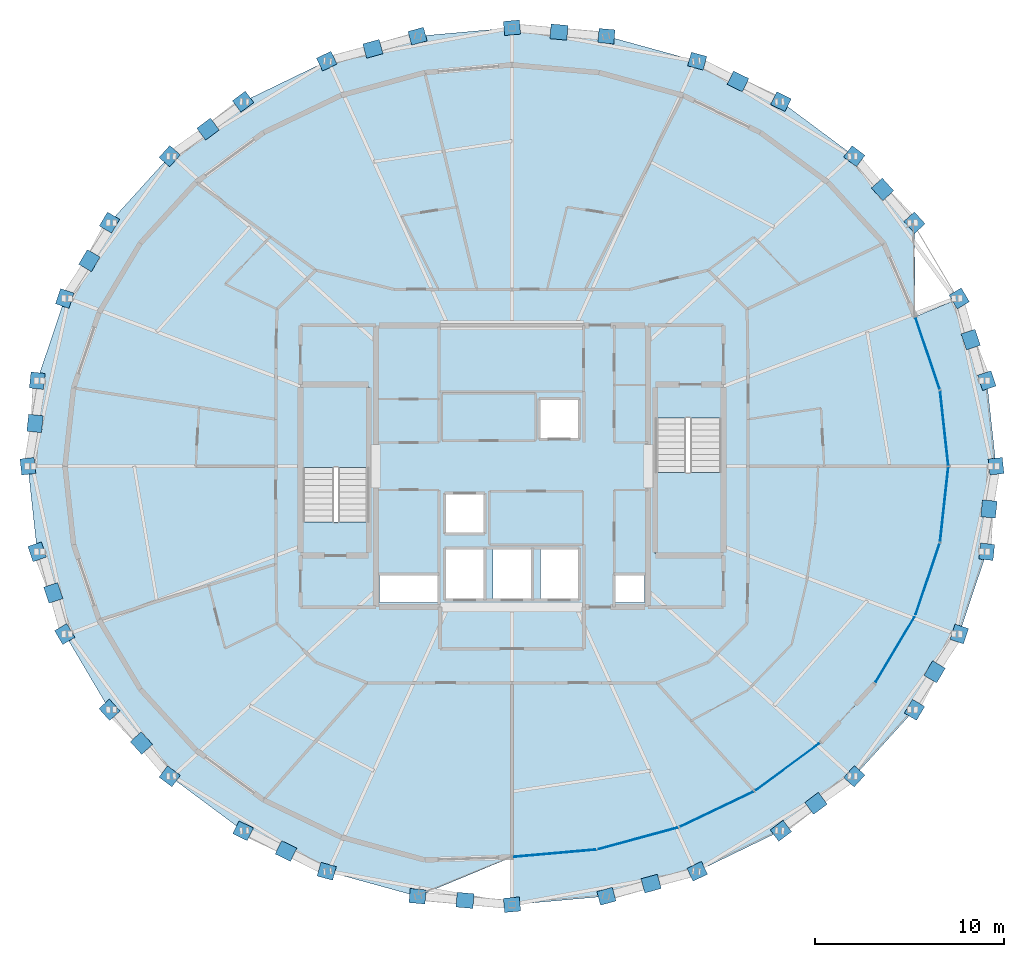
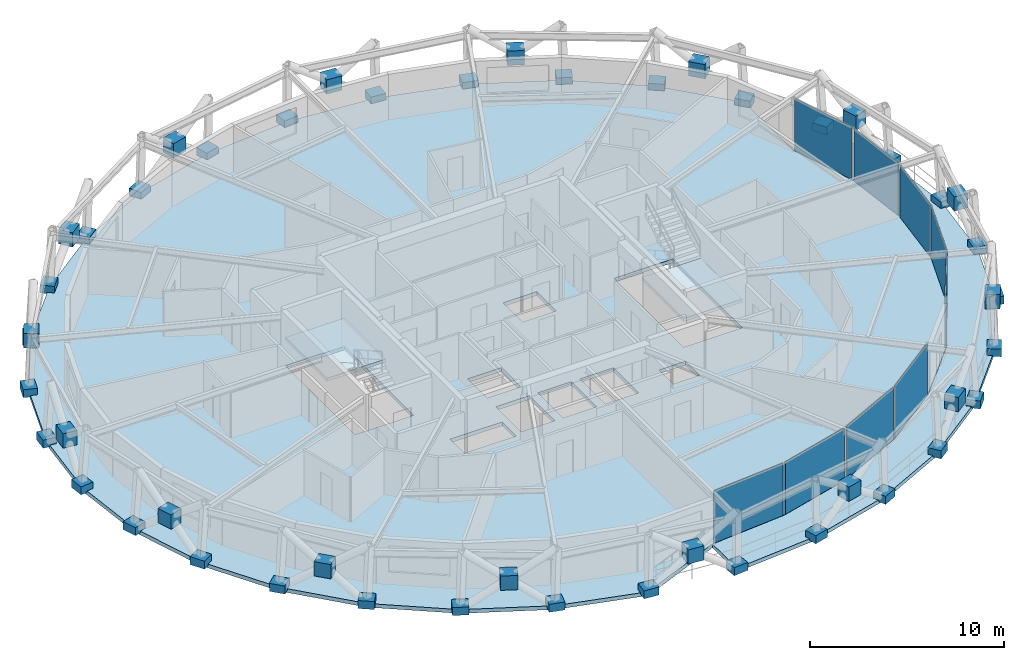
# One storey, part 11 of 17: 57 plates, 4 slabs, 4 elements without a shape of their own.
"""IFC4 building model written with IfcOpenShell, lengths in metres."""

import ifcopenshell
import ifcopenshell.guid

model = None  # the IFC model being written
_history = None  # IfcOwnerHistory: only IFC2X3 demands one
_inside = {}  # id of a spatial element -> (the spatial element, [elements in it])
_under = {}  # id of a project, library or spatial element -> (it, [spatial elements below it])
_declared = {}  # id of a project -> (the project, [libraries it declares])
_typed = {}  # id of a type object -> (the type object, [elements of that type])
_made_of = {}  # id of a material, layer set ... -> (it, [elements and type objects made of it])


def new_model(schema):
    """Start an empty IFC model of exactly this schema.

    Asked for "IFC4X3", IfcOpenShell would pick the latest addendum, in which some entities
    have other attributes; the version numbers below select the first issue.
    IFC2X3 requires an IfcOwnerHistory on every rooted entity: one is made here for all.
    """
    global model, _history
    if schema == "IFC4X3":
        model = ifcopenshell.file(schema_version=(4, 3, 0, 0))
    else:
        model = ifcopenshell.file(schema=schema)
    _inside.clear()
    _under.clear()
    _declared.clear()
    _typed.clear()
    _made_of.clear()
    _history = None
    if model.schema == "IFC2X3":
        org = make("IfcOrganization", Name="unknown")
        user = make(
            "IfcPersonAndOrganization",
            ThePerson=make("IfcPerson", FamilyName="unknown"),
            TheOrganization=org,
        )
        app = make(
            "IfcApplication",
            ApplicationDeveloper=org,
            Version="unknown",
            ApplicationFullName="unknown",
            ApplicationIdentifier="unknown",
        )
        _history = make(
            "IfcOwnerHistory",
            OwningUser=user,
            OwningApplication=app,
            ChangeAction="ADDED",
            CreationDate=0,
        )
    return model


def make(cls, **values):
    """One entity of the class cls with the attributes given. An attribute that is None is left unset."""
    return model.create_entity(
        cls, **{name: value for name, value in values.items() if value is not None}
    )


def rooted(cls, **values):
    """An entity with a GlobalId (a new one), such as an element, a storey or a relation."""
    return make(cls, GlobalId=ifcopenshell.guid.new(), OwnerHistory=_history, **values)


def si_unit(unit_type, name, prefix=None):
    """IfcSIUnit, for example si_unit("LENGTHUNIT", "METRE", prefix="MILLI")."""
    return make("IfcSIUnit", UnitType=unit_type, Prefix=prefix, Name=name)


def assignment(units):
    """IfcUnitAssignment: the units of a project."""
    return None if units is None else make("IfcUnitAssignment", Units=units)


def point(xyz):
    """IfcCartesianPoint."""
    return None if xyz is None else make("IfcCartesianPoint", Coordinates=xyz)


def direction(xyz):
    """IfcDirection."""
    return None if xyz is None else make("IfcDirection", DirectionRatios=xyz)


def frame(location, z_axis=None, x_axis=None):
    """IfcAxis2Placement3D, a coordinate frame: its origin and axes. An axis left out is left unset."""
    return make(
        "IfcAxis2Placement3D",
        Location=point(location),
        Axis=direction(z_axis),
        RefDirection=direction(x_axis),
    )


def frame_2d(location, x_axis=None):
    """IfcAxis2Placement2D, a coordinate frame in the plane: its origin and x axis."""
    return make(
        "IfcAxis2Placement2D", Location=point(location), RefDirection=direction(x_axis)
    )


def origin():
    """The frame at (0, 0, 0) with its axes left unset."""
    return frame((0.0, 0.0, 0.0))


def origin_2d():
    """The frame at (0, 0) in the plane with its x axis left unset."""
    return frame_2d((0.0, 0.0))


def place(relative_to, where):
    """IfcLocalPlacement: puts the frame where relative to a parent placement (None: the world)."""
    return make(
        "IfcLocalPlacement", PlacementRelTo=relative_to, RelativePlacement=where
    )


def context(
    kind, dimensions, precision=None, world=None, true_north=None, identifier=None
):
    """IfcGeometricRepresentationContext, for example the 3D "Model" context."""
    return make(
        "IfcGeometricRepresentationContext",
        ContextIdentifier=identifier,
        ContextType=kind,
        CoordinateSpaceDimension=dimensions,
        Precision=precision,
        WorldCoordinateSystem=world,
        TrueNorth=true_north,
    )


def subcontext(parent, identifier, kind, view, scale=None):
    """IfcGeometricRepresentationSubContext, for example "Body" below "Model"."""
    return make(
        "IfcGeometricRepresentationSubContext",
        ContextIdentifier=identifier,
        ContextType=kind,
        ParentContext=parent,
        TargetScale=scale,
        TargetView=view,
    )


def project(units=None, contexts=None):
    """IfcProject with its units and contexts."""
    return rooted(
        "IfcProject",
        Name="project",
        RepresentationContexts=contexts,
        UnitsInContext=assignment(units),
    )


def spatial(cls, under=None, at=None, **own):
    """A site, building, storey or space (cls), placed at a placement, below another one or the project."""
    s = rooted(cls, ObjectPlacement=at, **own)
    if under is not None:
        _under.setdefault(under.id(), (under, []))[1].append(s)
    return s


def polyline(points):
    """IfcPolyline through the points."""
    return make("IfcPolyline", Points=[point(p) for p in points])


def profile(cls, at=None, kind="AREA", **sizes):
    """A parametric profile (cls). Its sizes go by their IFC names, for example OverallWidth=200.0."""
    return make(cls, ProfileType=kind, Position=at, **sizes)


def rectangle(**sizes):
    """IfcRectangleProfileDef."""
    return profile("IfcRectangleProfileDef", **sizes)


def outline(outer, holes=None, kind="AREA"):
    """IfcArbitraryClosedProfileDef: a profile drawn as a closed curve; with holes, ...WithVoids."""
    if holes is None:
        return make("IfcArbitraryClosedProfileDef", ProfileType=kind, OuterCurve=outer)
    return make(
        "IfcArbitraryProfileDefWithVoids",
        ProfileType=kind,
        OuterCurve=outer,
        InnerCurves=holes,
    )


def extrude(swept, where, along, depth):
    """IfcExtrudedAreaSolid: the profile swept, set in the frame where, extruded along a direction by depth."""
    return make(
        "IfcExtrudedAreaSolid",
        SweptArea=swept,
        Position=where,
        ExtrudedDirection=direction(along),
        Depth=depth,
    )


def shape(context_of_items, identifier, shape_type, items):
    """IfcShapeRepresentation: the items that make up one representation, for example the "Body"."""
    return make(
        "IfcShapeRepresentation",
        ContextOfItems=context_of_items,
        RepresentationIdentifier=identifier,
        RepresentationType=shape_type,
        Items=items,
    )


def material(Name=None, Category=None):
    """IfcMaterial."""
    return make("IfcMaterial", Name=Name, Category=Category)


def layer(
    of_material, thickness, ventilated=None, Name=None, Category=None, Priority=None
):
    """IfcMaterialLayer: one layer of a wall or slab, of a material (None: an air gap)."""
    return make(
        "IfcMaterialLayer",
        Material=of_material,
        LayerThickness=thickness,
        IsVentilated=ventilated,
        Name=Name,
        Category=Category,
        Priority=Priority,
    )


def layer_set(layers, Name=None):
    """IfcMaterialLayerSet."""
    return make("IfcMaterialLayerSet", MaterialLayers=layers, LayerSetName=Name)


def made_of(thing, what):
    """Note that an element or type object is made of a material, layer set ...; save() writes the relation."""
    if what is not None:
        _made_of.setdefault(what.id(), (what, []))[1].append(thing)
    return thing


def type_object(cls, material=None, **own):
    """A type object (cls), such as IfcWallType, which elements share."""
    return made_of(rooted(cls, **own), material)


def element(
    cls,
    number,
    at=None,
    inside=None,
    cuts=None,
    type_object=None,
    material=None,
    context=None,
    identifier="Body",
    shape_type=None,
    held_by="IfcProductDefinitionShape",
    body=None,
    shapes=None,
    **own,
):
    """One element of the class cls, such as IfcWall. Its Tag is "e" and its number.

    at: its placement. inside: the storey or other place that contains it. cuts: it is an
    opening in that element (IfcRelVoidsElement). A single representation is given by context,
    identifier, shape_type and body (its items); several are given by shapes. held_by: the class
    of the entity that holds the representations. save() writes the other relations.
    """
    e = rooted(cls, Tag="e%d" % number, ObjectPlacement=at, **own)
    if body is not None:
        shapes = [shape(context, identifier, shape_type, body)]
    if shapes is not None:
        e.Representation = make(held_by, Representations=shapes)
    if inside is not None:
        _inside.setdefault(inside.id(), (inside, []))[1].append(e)
    if cuts is not None:
        rooted(
            "IfcRelVoidsElement", RelatingBuildingElement=cuts, RelatedOpeningElement=e
        )
    if type_object is not None:
        _typed.setdefault(type_object.id(), (type_object, []))[1].append(e)
    return made_of(e, material)


def aggregate(whole, parts):
    """IfcRelAggregates: a whole, such as a stair, and the parts it consists of."""
    return rooted("IfcRelAggregates", RelatingObject=whole, RelatedObjects=parts)


def save(model, path):
    """Write the relations noted so far, then the file.

    IfcRelAggregates (storeys below a building ...), IfcRelContainedInSpatialStructure (elements
    in a storey), IfcRelDefinesByType, IfcRelAssociatesMaterial and IfcRelDeclares: one each for
    every whole, place, type object, material and project.
    """
    for whole, parts in _under.values():
        aggregate(whole, parts)
    for where, things in _inside.values():
        rooted(
            "IfcRelContainedInSpatialStructure",
            RelatedElements=things,
            RelatingStructure=where,
        )
    for kind, things in _typed.values():
        rooted("IfcRelDefinesByType", RelatedObjects=things, RelatingType=kind)
    for what, things in _made_of.values():
        rooted("IfcRelAssociatesMaterial", RelatedObjects=things, RelatingMaterial=what)
    for by, libraries in _declared.values():
        rooted("IfcRelDeclares", RelatingContext=by, RelatedDefinitions=libraries)
    model.write(path)


model = new_model("IFC4")

# Units and contexts
model_context = context("Model", 3, precision=1e-05, world=origin(), true_north=direction((0.0, 1.0)))
body_context = subcontext(model_context, "Body", "Model", "MODEL_VIEW")
ifc_project = project(units=[si_unit("LENGTHUNIT", "METRE"), si_unit("AREAUNIT", "SQUARE_METRE"), si_unit("VOLUMEUNIT", "CUBIC_METRE"), si_unit("PLANEANGLEUNIT", "RADIAN"), si_unit("MASSUNIT", "GRAM", prefix="KILO")], contexts=[model_context])

# Site, building, storey
site_placement = place(None, origin())
site = spatial("IfcSite", under=ifc_project, at=site_placement, CompositionType="ELEMENT")
building_placement = place(site_placement, origin())
building = spatial("IfcBuilding", under=site, at=building_placement, Name="Veldorina Hangang Commons", CompositionType="ELEMENT")
storey_placement = place(building_placement, frame((0.0, 0.0, 214.800048828125)))
storey = spatial("IfcBuildingStorey", under=building, at=storey_placement, Name="L55", CompositionType="ELEMENT", Elevation=214.800048828125)

# Curtain wall, plates
ifc_material_1 = material(Name="Glass Low-E Selective", Category="glass")
ifc_layer_1 = layer(ifc_material_1, 0.179931640625)
ifc_layer_set_1 = layer_set([ifc_layer_1], Name="Glass Low-E Selective")
curtain_wall_type = type_object("IfcCurtainWallType", Name="CW-SYS-Z3", PredefinedType="NOTDEFINED", material=ifc_layer_set_1)
curtain_wall_1_placement = place(storey_placement, origin())
curtain_wall_1 = element("IfcCurtainWall", 1, at=curtain_wall_1_placement, inside=storey, type_object=curtain_wall_type, Name="L55 unitised curtain wall CW-L55-R1", PredefinedType="NOTDEFINED")
ifc_material_2 = material(Name="Glass Low-E Triple IGU", Category="glass")
ifc_layer_2 = layer(ifc_material_2, 0.0400390625)
ifc_layer_set_2 = layer_set([ifc_layer_2], Name="Glass Low-E Triple IGU")
plate_type_1 = type_object("IfcPlateType", Name="CW-PNL-VIS", PredefinedType="CURTAIN_PANEL", material=ifc_layer_set_2)
plate_1_placement = place(storey_placement, frame((34.250244140625, 3.539794921875, 0.014892578125), z_axis=(0.0, 0.0, 1.0), x_axis=(0.996132075699, 0.087868582349, 0.0)))
plate_1 = element("IfcPlate", 2, at=plate_1_placement, type_object=plate_type_1, Name="CW-L55-R1 facet 1 glazed vision panel", PredefinedType="CURTAIN_PANEL", context=body_context, shape_type="SweptSolid", body=[
    extrude(rectangle(XDim=4.338134765625, YDim=0.0400390625, at=origin_2d()), origin(), (0.0, 0.0, 1.0), 3.2900390625),
])
plate_2_placement = place(storey_placement, frame((38.66455078125, 4.325927734375, 0.014892578125), z_axis=(0.0, 0.0, 1.0), x_axis=(0.965030221343, 0.262138650136, 0.0)))
plate_2 = element("IfcPlate", 3, at=plate_2_placement, type_object=plate_type_1, Name="CW-L55-R1 facet 2 glazed vision panel", PredefinedType="CURTAIN_PANEL", context=body_context, shape_type="SweptSolid", body=[
    extrude(rectangle(XDim=4.3046875, YDim=0.0400390625, at=origin_2d()), origin(), (0.0, 0.0, 1.0), 3.2900390625),
])
plate_3_placement = place(storey_placement, frame((42.82275390625, 5.868408203125, 0.014892578125), z_axis=(0.0, 0.0, 1.0), x_axis=(0.902005904075, 0.43172369522, 0.0)))
plate_3 = element("IfcPlate", 4, at=plate_3_placement, type_object=plate_type_1, Name="CW-L55-R1 facet 3 glazed vision panel", PredefinedType="CURTAIN_PANEL", context=body_context, shape_type="SweptSolid", body=[
    extrude(rectangle(XDim=4.24169921875, YDim=0.0400390625, at=origin_2d()), origin(), (0.0, 0.0, 1.0), 3.2900390625),
])
plate_4_placement = place(storey_placement, frame((46.56494140625, 8.107421875, 0.014892578125), z_axis=(0.0, 0.0, 1.0), x_axis=(0.805804273623, 0.592181959038, 0.0)))
plate_4 = element("IfcPlate", 5, at=plate_4_placement, type_object=plate_type_1, Name="CW-L55-R1 facet 4 glazed vision panel", PredefinedType="CURTAIN_PANEL", context=body_context, shape_type="SweptSolid", body=[
    extrude(rectangle(XDim=4.158447265625, YDim=0.0400390625, at=origin_2d()), origin(), (0.0, 0.0, 1.0), 3.2900390625),
])
aggregate(curtain_wall_1, [plate_1, plate_2, plate_3, plate_4])

curtain_wall_2_placement = place(storey_placement, origin())
curtain_wall_2 = element("IfcCurtainWall", 6, at=curtain_wall_2_placement, inside=storey, type_object=curtain_wall_type, Name="L55 unitised curtain wall CW-L55-R2", PredefinedType="NOTDEFINED")
plate_5_placement = place(storey_placement, frame((52.248046875, 14.308349609375, 0.014892578125), z_axis=(0.0, 0.0, 1.0), x_axis=(0.512537505299, 0.858664838957, 0.0)))
plate_5 = element("IfcPlate", 7, at=plate_5_placement, type_object=plate_type_1, Name="CW-L55-R2 facet 1 glazed vision panel", PredefinedType="CURTAIN_PANEL", context=body_context, shape_type="SweptSolid", body=[
    extrude(rectangle(XDim=3.9794921875, YDim=0.0400390625, at=origin_2d()), origin(), (0.0, 0.0, 1.0), 3.2900390625),
])
plate_6_placement = place(storey_placement, frame((53.97021484375, 18.031982421875, 0.014892578125), z_axis=(0.0, 0.0, 1.0), x_axis=(0.320827897526, 0.947137508585, 0.0)))
plate_6 = element("IfcPlate", 8, at=plate_6_placement, type_object=plate_type_1, Name="CW-L55-R2 facet 2 glazed vision panel", PredefinedType="CURTAIN_PANEL", context=body_context, shape_type="SweptSolid", body=[
    extrude(rectangle(XDim=3.911865234375, YDim=0.0400390625, at=origin_2d()), origin(), (0.0, 0.0, 1.0), 3.2900390625),
])
plate_7_placement = place(storey_placement, frame((54.848388671875, 21.98486328125, 0.014892578125), z_axis=(0.0, 0.0, 1.0), x_axis=(0.10933530076, 0.994004925545, 0.0)))
plate_7 = element("IfcPlate", 9, at=plate_7_placement, type_object=plate_type_1, Name="CW-L55-R2 facet 3 glazed vision panel", PredefinedType="CURTAIN_PANEL", context=body_context, shape_type="SweptSolid", body=[
    extrude(rectangle(XDim=3.87451171875, YDim=0.0400390625, at=origin_2d()), origin(), (0.0, 0.0, 1.0), 3.2900390625),
])
plate_8_placement = place(storey_placement, frame((54.848388671875, 26.01513671875, 0.014892578125), z_axis=(0.0, 0.0, 1.0), x_axis=(-0.10933530076, 0.994004925545, 0.0)))
plate_8 = element("IfcPlate", 10, at=plate_8_placement, type_object=plate_type_1, Name="CW-L55-R2 facet 4 glazed vision panel", PredefinedType="CURTAIN_PANEL", context=body_context, shape_type="SweptSolid", body=[
    extrude(rectangle(XDim=3.87451171875, YDim=0.0400390625, at=origin_2d()), origin(), (0.0, 0.0, 1.0), 3.2900390625),
])
plate_9_placement = place(storey_placement, frame((53.97021484375, 29.968017578125, 0.014892578125), z_axis=(0.0, 0.0, 1.0), x_axis=(-0.320827897526, 0.947137508585, 0.0)))
plate_9 = element("IfcPlate", 11, at=plate_9_placement, type_object=plate_type_1, Name="CW-L55-R2 facet 5 glazed vision panel", PredefinedType="CURTAIN_PANEL", context=body_context, shape_type="SweptSolid", body=[
    extrude(rectangle(XDim=3.911865234375, YDim=0.0400390625, at=origin_2d()), origin(), (0.0, 0.0, 1.0), 3.2900390625),
])
aggregate(curtain_wall_2, [plate_5, plate_6, plate_7, plate_8, plate_9])

# Plates
ifc_material_3 = material(Name="Steel SM460-TMC", Category="steel")
ifc_layer_3 = layer(ifc_material_3, 0.035888671875)
ifc_layer_set_3 = layer_set([ifc_layer_3], Name="Steel SM460-TMC")
plate_type_2 = type_object("IfcPlateType", Name="PL-STAR-36", PredefinedType="USERDEFINED", material=ifc_layer_set_3)
for number, where, z_axis, x_axis, name in (
    (12, (57.590087890625, 24.0, -0.090087890625), (0.0, 0.0, 1.0), (-0.108103462359, 0.994139648855, 0.0), "L55 diagrid star-node gusset plate 00"),
    (13, (57.098388671875, 28.52197265625, -0.090087890625), (0.0, 0.0, 1.0), (-0.317569465952, 0.948235010055, 0.0), "L55 diagrid star-node gusset plate 01"),
):
    element("IfcPlate", number, at=place(storey_placement, frame(where, z_axis=z_axis, x_axis=x_axis)), inside=storey, type_object=plate_type_2, Name=name, ObjectType="GUSSET PLATE", PredefinedType="USERDEFINED", context=body_context, shape_type="SweptSolid", body=[
        extrude(rectangle(XDim=0.85009765625, YDim=0.75, at=origin_2d()), origin(), (0.0, 0.0, 1.0), 0.5),
    ])
plate_10_placement = place(storey_placement, frame((56.248779296875, 30.6953125, 1.351318359375), z_axis=(0.0, 0.0, 1.0), x_axis=(-0.317569465952, 0.948235010055, 0.0)))
element("IfcPlate", 14, at=plate_10_placement, inside=storey, type_object=plate_type_2, Name="L55 diagrid X-crossing star-node gusset plate 01", ObjectType="GUSSET PLATE", PredefinedType="USERDEFINED", context=body_context, shape_type="SweptSolid", body=[
    extrude(rectangle(XDim=0.89990234375, YDim=0.780029296875, at=origin_2d()), origin(), (0.0, 0.0, 1.0), 0.89990234375),
])
for number, where, z_axis, x_axis, name in (
    (15, (55.64208984375, 32.8701171875, -0.090087890625), (0.0, 0.0, 1.0), (-0.508214928314, 0.861230275036, 0.0), "L55 diagrid star-node gusset plate 02"),
    (16, (53.27734375, 36.87744140625, -0.090087890625), (0.0, 0.0, 1.0), (-0.671436091267, 0.741062463861, 0.0), "L55 diagrid star-node gusset plate 03"),
):
    element("IfcPlate", number, at=place(storey_placement, frame(where, z_axis=z_axis, x_axis=x_axis)), inside=storey, type_object=plate_type_2, Name=name, ObjectType="GUSSET PLATE", PredefinedType="USERDEFINED", context=body_context, shape_type="SweptSolid", body=[
        extrude(rectangle(XDim=0.85009765625, YDim=0.75, at=origin_2d()), origin(), (0.0, 0.0, 1.0), 0.5),
    ])
plate_11_placement = place(storey_placement, frame((51.589599609375, 38.6337890625, 1.3544921875), z_axis=(0.0, 0.0, 1.0), x_axis=(-0.671436091267, 0.741062463861, 0.0)))
element("IfcPlate", 17, at=plate_11_placement, inside=storey, type_object=plate_type_2, Name="L55 diagrid X-crossing star-node gusset plate 03", ObjectType="GUSSET PLATE", PredefinedType="USERDEFINED", context=body_context, shape_type="SweptSolid", body=[
    extrude(rectangle(XDim=0.89990234375, YDim=0.780029296875, at=origin_2d()), origin(), (0.0, 0.0, 1.0), 0.89990234375),
])
for number, where, z_axis, x_axis, name in (
    (18, (50.094970703125, 40.389892578125, -0.090087890625), (0.0, 0.0, 1.0), (-0.802557246598, 0.596575113404, 0.0), "L55 diagrid star-node gusset plate 04"),
    (19, (46.217041015625, 43.2724609375, -0.090087890625), (0.0, 0.0, 1.0), (-0.900060341566, 0.435765282624, 0.0), "L55 diagrid star-node gusset plate 05"),
):
    element("IfcPlate", number, at=place(storey_placement, frame(where, z_axis=z_axis, x_axis=x_axis)), inside=storey, type_object=plate_type_2, Name=name, ObjectType="GUSSET PLATE", PredefinedType="USERDEFINED", context=body_context, shape_type="SweptSolid", body=[
        extrude(rectangle(XDim=0.85009765625, YDim=0.75, at=origin_2d()), origin(), (0.0, 0.0, 1.0), 0.5),
    ])
plate_12_placement = place(storey_placement, frame((43.945556640625, 44.34228515625, 1.357421875), z_axis=(0.0, 0.0, 1.0), x_axis=(-0.900060341566, 0.435765282624, 0.0)))
element("IfcPlate", 20, at=plate_12_placement, inside=storey, type_object=plate_type_2, Name="L55 diagrid X-crossing star-node gusset plate 05", ObjectType="GUSSET PLATE", PredefinedType="USERDEFINED", context=body_context, shape_type="SweptSolid", body=[
    extrude(rectangle(XDim=0.89990234375, YDim=0.780029296875, at=origin_2d()), origin(), (0.0, 0.0, 1.0), 0.89990234375),
])
for number, where, z_axis, x_axis, name in (
    (21, (41.79296875, 45.414306640625, -0.090087890625), (0.0, 0.0, 1.0), (-0.964262067748, 0.2649503061, 0.0), "L55 diagrid star-node gusset plate 06"),
    (22, (36.992431640625, 46.7333984375, -0.090087890625), (0.0, 0.0, 1.0), (-0.9960441678, 0.08885952842, 0.0), "L55 diagrid star-node gusset plate 07"),
):
    element("IfcPlate", number, at=place(storey_placement, frame(where, z_axis=z_axis, x_axis=x_axis)), inside=storey, type_object=plate_type_2, Name=name, ObjectType="GUSSET PLATE", PredefinedType="USERDEFINED", context=body_context, shape_type="SweptSolid", body=[
        extrude(rectangle(XDim=0.85009765625, YDim=0.75, at=origin_2d()), origin(), (0.0, 0.0, 1.0), 0.5),
    ])
plate_13_placement = place(storey_placement, frame((34.4833984375, 46.951171875, 1.359130859375), z_axis=(0.0, 0.0, 1.0), x_axis=(-0.9960441678, 0.08885952842, 0.0)))
element("IfcPlate", 23, at=plate_13_placement, inside=storey, type_object=plate_type_2, Name="L55 diagrid X-crossing star-node gusset plate 07", ObjectType="GUSSET PLATE", PredefinedType="USERDEFINED", context=body_context, shape_type="SweptSolid", body=[
    extrude(rectangle(XDim=0.89990234375, YDim=0.780029296875, at=origin_2d()), origin(), (0.0, 0.0, 1.0), 0.89990234375),
])
for number, where, z_axis, x_axis, name in (
    (24, (32.0, 47.1787109375, -0.090087890625), (0.0, 0.0, 1.0), (-0.9960441678, -0.08885952842, 0.0), "L55 diagrid star-node gusset plate 08"),
    (25, (27.007568359375, 46.7333984375, -0.090087890625), (0.0, 0.0, 1.0), (-0.964262067748, -0.2649503061, 0.0), "L55 diagrid star-node gusset plate 09"),
):
    element("IfcPlate", number, at=place(storey_placement, frame(where, z_axis=z_axis, x_axis=x_axis)), inside=storey, type_object=plate_type_2, Name=name, ObjectType="GUSSET PLATE", PredefinedType="USERDEFINED", context=body_context, shape_type="SweptSolid", body=[
        extrude(rectangle(XDim=0.85009765625, YDim=0.75, at=origin_2d()), origin(), (0.0, 0.0, 1.0), 0.5),
    ])
plate_14_placement = place(storey_placement, frame((24.64599609375, 46.065185546875, 1.358642578125), z_axis=(0.0, 0.0, 1.0), x_axis=(-0.964262067748, -0.2649503061, 0.0)))
element("IfcPlate", 26, at=plate_14_placement, inside=storey, type_object=plate_type_2, Name="L55 diagrid X-crossing star-node gusset plate 09", ObjectType="GUSSET PLATE", PredefinedType="USERDEFINED", context=body_context, shape_type="SweptSolid", body=[
    extrude(rectangle(XDim=0.89990234375, YDim=0.780029296875, at=origin_2d()), origin(), (0.0, 0.0, 1.0), 0.89990234375),
])
for number, where, z_axis, x_axis, name in (
    (27, (22.20703125, 45.414306640625, -0.090087890625), (0.0, 0.0, 1.0), (-0.900060341566, -0.435765282624, 0.0), "L55 diagrid star-node gusset plate 10"),
    (28, (17.782958984375, 43.2724609375, -0.090087890625), (0.0, 0.0, 1.0), (-0.802557246598, -0.596575113404, 0.0), "L55 diagrid star-node gusset plate 11"),
):
    element("IfcPlate", number, at=place(storey_placement, frame(where, z_axis=z_axis, x_axis=x_axis)), inside=storey, type_object=plate_type_2, Name=name, ObjectType="GUSSET PLATE", PredefinedType="USERDEFINED", context=body_context, shape_type="SweptSolid", body=[
        extrude(rectangle(XDim=0.85009765625, YDim=0.75, at=origin_2d()), origin(), (0.0, 0.0, 1.0), 0.5),
    ])
plate_15_placement = place(storey_placement, frame((15.93017578125, 41.822021484375, 1.356201171875), z_axis=(0.0, 0.0, 1.0), x_axis=(-0.802557246598, -0.596575113404, 0.0)))
element("IfcPlate", 29, at=plate_15_placement, inside=storey, type_object=plate_type_2, Name="L55 diagrid X-crossing star-node gusset plate 11", ObjectType="GUSSET PLATE", PredefinedType="USERDEFINED", context=body_context, shape_type="SweptSolid", body=[
    extrude(rectangle(XDim=0.89990234375, YDim=0.780029296875, at=origin_2d()), origin(), (0.0, 0.0, 1.0), 0.89990234375),
])
for number, where, z_axis, x_axis, name in (
    (30, (13.905029296875, 40.389892578125, -0.090087890625), (0.0, 0.0, 1.0), (-0.671436091267, -0.741062463861, 0.0), "L55 diagrid star-node gusset plate 12"),
    (31, (10.72265625, 36.87744140625, -0.090087890625), (0.0, 0.0, 1.0), (-0.508214928314, -0.861230275036, 0.0), "L55 diagrid star-node gusset plate 13"),
):
    element("IfcPlate", number, at=place(storey_placement, frame(where, z_axis=z_axis, x_axis=x_axis)), inside=storey, type_object=plate_type_2, Name=name, ObjectType="GUSSET PLATE", PredefinedType="USERDEFINED", context=body_context, shape_type="SweptSolid", body=[
        extrude(rectangle(XDim=0.85009765625, YDim=0.75, at=origin_2d()), origin(), (0.0, 0.0, 1.0), 0.5),
    ])
plate_16_placement = place(storey_placement, frame((9.659423828125, 34.868408203125, 1.352783203125), z_axis=(0.0, 0.0, 1.0), x_axis=(-0.508214928314, -0.861230275036, 0.0)))
element("IfcPlate", 32, at=plate_16_placement, inside=storey, type_object=plate_type_2, Name="L55 diagrid X-crossing star-node gusset plate 13", ObjectType="GUSSET PLATE", PredefinedType="USERDEFINED", context=body_context, shape_type="SweptSolid", body=[
    extrude(rectangle(XDim=0.89990234375, YDim=0.780029296875, at=origin_2d()), origin(), (0.0, 0.0, 1.0), 0.89990234375),
])
for number, where, z_axis, x_axis, name in (
    (33, (8.35791015625, 32.8701171875, -0.090087890625), (0.0, 0.0, 1.0), (-0.317569465952, -0.948235010055, 0.0), "L55 diagrid star-node gusset plate 14"),
    (34, (6.901611328125, 28.52197265625, -0.090087890625), (0.0, 0.0, 1.0), (-0.108103462359, -0.994139648855, 0.0), "L55 diagrid star-node gusset plate 15"),
):
    element("IfcPlate", number, at=place(storey_placement, frame(where, z_axis=z_axis, x_axis=x_axis)), inside=storey, type_object=plate_type_2, Name=name, ObjectType="GUSSET PLATE", PredefinedType="USERDEFINED", context=body_context, shape_type="SweptSolid", body=[
        extrude(rectangle(XDim=0.85009765625, YDim=0.75, at=origin_2d()), origin(), (0.0, 0.0, 1.0), 0.5),
    ])
plate_17_placement = place(storey_placement, frame((6.78662109375, 26.26025390625, 1.3505859375), z_axis=(0.0, 0.0, 1.0), x_axis=(-0.108103462359, -0.994139648855, 0.0)))
element("IfcPlate", 35, at=plate_17_placement, inside=storey, type_object=plate_type_2, Name="L55 diagrid X-crossing star-node gusset plate 15", ObjectType="GUSSET PLATE", PredefinedType="USERDEFINED", context=body_context, shape_type="SweptSolid", body=[
    extrude(rectangle(XDim=0.89990234375, YDim=0.780029296875, at=origin_2d()), origin(), (0.0, 0.0, 1.0), 0.89990234375),
])
for number, where, z_axis, x_axis, name in (
    (36, (6.409912109375, 24.0, -0.090087890625), (0.0, 0.0, 1.0), (0.108103462359, -0.994139648855, 0.0), "L55 diagrid star-node gusset plate 16"),
    (37, (6.901611328125, 19.47802734375, -0.090087890625), (0.0, 0.0, 1.0), (0.317569465952, -0.948235010055, 0.0), "L55 diagrid star-node gusset plate 17"),
):
    element("IfcPlate", number, at=place(storey_placement, frame(where, z_axis=z_axis, x_axis=x_axis)), inside=storey, type_object=plate_type_2, Name=name, ObjectType="GUSSET PLATE", PredefinedType="USERDEFINED", context=body_context, shape_type="SweptSolid", body=[
        extrude(rectangle(XDim=0.85009765625, YDim=0.75, at=origin_2d()), origin(), (0.0, 0.0, 1.0), 0.5),
    ])
plate_18_placement = place(storey_placement, frame((7.751220703125, 17.3046875, 1.351318359375), z_axis=(0.0, 0.0, 1.0), x_axis=(0.317569465952, -0.948235010055, 0.0)))
element("IfcPlate", 38, at=plate_18_placement, inside=storey, type_object=plate_type_2, Name="L55 diagrid X-crossing star-node gusset plate 17", ObjectType="GUSSET PLATE", PredefinedType="USERDEFINED", context=body_context, shape_type="SweptSolid", body=[
    extrude(rectangle(XDim=0.89990234375, YDim=0.780029296875, at=origin_2d()), origin(), (0.0, 0.0, 1.0), 0.89990234375),
])
for number, where, z_axis, x_axis, name in (
    (39, (8.35791015625, 15.1298828125, -0.090087890625), (0.0, 0.0, 1.0), (0.508214928314, -0.861230275036, 0.0), "L55 diagrid star-node gusset plate 18"),
    (40, (10.72265625, 11.12255859375, -0.090087890625), (0.0, 0.0, 1.0), (0.671436091267, -0.741062463861, 0.0), "L55 diagrid star-node gusset plate 19"),
):
    element("IfcPlate", number, at=place(storey_placement, frame(where, z_axis=z_axis, x_axis=x_axis)), inside=storey, type_object=plate_type_2, Name=name, ObjectType="GUSSET PLATE", PredefinedType="USERDEFINED", context=body_context, shape_type="SweptSolid", body=[
        extrude(rectangle(XDim=0.85009765625, YDim=0.75, at=origin_2d()), origin(), (0.0, 0.0, 1.0), 0.5),
    ])
plate_19_placement = place(storey_placement, frame((12.410400390625, 9.3662109375, 1.3544921875), z_axis=(0.0, 0.0, 1.0), x_axis=(0.671436091267, -0.741062463861, 0.0)))
element("IfcPlate", 41, at=plate_19_placement, inside=storey, type_object=plate_type_2, Name="L55 diagrid X-crossing star-node gusset plate 19", ObjectType="GUSSET PLATE", PredefinedType="USERDEFINED", context=body_context, shape_type="SweptSolid", body=[
    extrude(rectangle(XDim=0.89990234375, YDim=0.780029296875, at=origin_2d()), origin(), (0.0, 0.0, 1.0), 0.89990234375),
])
for number, where, z_axis, x_axis, name in (
    (42, (13.905029296875, 7.610107421875, -0.090087890625), (0.0, 0.0, 1.0), (0.802557246598, -0.596575113404, 0.0), "L55 diagrid star-node gusset plate 20"),
    (43, (17.782958984375, 4.7275390625, -0.090087890625), (0.0, 0.0, 1.0), (0.900060341566, -0.435765282624, 0.0), "L55 diagrid star-node gusset plate 21"),
):
    element("IfcPlate", number, at=place(storey_placement, frame(where, z_axis=z_axis, x_axis=x_axis)), inside=storey, type_object=plate_type_2, Name=name, ObjectType="GUSSET PLATE", PredefinedType="USERDEFINED", context=body_context, shape_type="SweptSolid", body=[
        extrude(rectangle(XDim=0.85009765625, YDim=0.75, at=origin_2d()), origin(), (0.0, 0.0, 1.0), 0.5),
    ])
plate_20_placement = place(storey_placement, frame((20.054443359375, 3.65771484375, 1.357421875), z_axis=(0.0, 0.0, 1.0), x_axis=(0.900060341566, -0.435765282624, 0.0)))
element("IfcPlate", 44, at=plate_20_placement, inside=storey, type_object=plate_type_2, Name="L55 diagrid X-crossing star-node gusset plate 21", ObjectType="GUSSET PLATE", PredefinedType="USERDEFINED", context=body_context, shape_type="SweptSolid", body=[
    extrude(rectangle(XDim=0.89990234375, YDim=0.780029296875, at=origin_2d()), origin(), (0.0, 0.0, 1.0), 0.89990234375),
])
for number, where, z_axis, x_axis, name in (
    (45, (22.20703125, 2.585693359375, -0.090087890625), (0.0, 0.0, 1.0), (0.964262067748, -0.2649503061, 0.0), "L55 diagrid star-node gusset plate 22"),
    (46, (27.007568359375, 1.2666015625, -0.090087890625), (0.0, 0.0, 1.0), (0.9960441678, -0.08885952842, 0.0), "L55 diagrid star-node gusset plate 23"),
):
    element("IfcPlate", number, at=place(storey_placement, frame(where, z_axis=z_axis, x_axis=x_axis)), inside=storey, type_object=plate_type_2, Name=name, ObjectType="GUSSET PLATE", PredefinedType="USERDEFINED", context=body_context, shape_type="SweptSolid", body=[
        extrude(rectangle(XDim=0.85009765625, YDim=0.75, at=origin_2d()), origin(), (0.0, 0.0, 1.0), 0.5),
    ])
plate_21_placement = place(storey_placement, frame((29.5166015625, 1.048828125, 1.359130859375), z_axis=(0.0, 0.0, 1.0), x_axis=(0.9960441678, -0.08885952842, 0.0)))
element("IfcPlate", 47, at=plate_21_placement, inside=storey, type_object=plate_type_2, Name="L55 diagrid X-crossing star-node gusset plate 23", ObjectType="GUSSET PLATE", PredefinedType="USERDEFINED", context=body_context, shape_type="SweptSolid", body=[
    extrude(rectangle(XDim=0.89990234375, YDim=0.780029296875, at=origin_2d()), origin(), (0.0, 0.0, 1.0), 0.89990234375),
])
for number, where, z_axis, x_axis, name in (
    (48, (32.0, 0.8212890625, -0.090087890625), (0.0, 0.0, 1.0), (0.9960441678, 0.08885952842, 0.0), "L55 diagrid star-node gusset plate 24"),
    (49, (36.992431640625, 1.2666015625, -0.090087890625), (0.0, 0.0, 1.0), (0.964262067748, 0.2649503061, 0.0), "L55 diagrid star-node gusset plate 25"),
):
    element("IfcPlate", number, at=place(storey_placement, frame(where, z_axis=z_axis, x_axis=x_axis)), inside=storey, type_object=plate_type_2, Name=name, ObjectType="GUSSET PLATE", PredefinedType="USERDEFINED", context=body_context, shape_type="SweptSolid", body=[
        extrude(rectangle(XDim=0.85009765625, YDim=0.75, at=origin_2d()), origin(), (0.0, 0.0, 1.0), 0.5),
    ])
plate_22_placement = place(storey_placement, frame((39.35400390625, 1.934814453125, 1.358642578125), z_axis=(0.0, 0.0, 1.0), x_axis=(0.964262067748, 0.2649503061, 0.0)))
element("IfcPlate", 50, at=plate_22_placement, inside=storey, type_object=plate_type_2, Name="L55 diagrid X-crossing star-node gusset plate 25", ObjectType="GUSSET PLATE", PredefinedType="USERDEFINED", context=body_context, shape_type="SweptSolid", body=[
    extrude(rectangle(XDim=0.89990234375, YDim=0.780029296875, at=origin_2d()), origin(), (0.0, 0.0, 1.0), 0.89990234375),
])
for number, where, z_axis, x_axis, name in (
    (51, (41.79296875, 2.585693359375, -0.090087890625), (0.0, 0.0, 1.0), (0.900060341566, 0.435765282624, 0.0), "L55 diagrid star-node gusset plate 26"),
    (52, (46.217041015625, 4.7275390625, -0.090087890625), (0.0, 0.0, 1.0), (0.802557246598, 0.596575113404, 0.0), "L55 diagrid star-node gusset plate 27"),
):
    element("IfcPlate", number, at=place(storey_placement, frame(where, z_axis=z_axis, x_axis=x_axis)), inside=storey, type_object=plate_type_2, Name=name, ObjectType="GUSSET PLATE", PredefinedType="USERDEFINED", context=body_context, shape_type="SweptSolid", body=[
        extrude(rectangle(XDim=0.85009765625, YDim=0.75, at=origin_2d()), origin(), (0.0, 0.0, 1.0), 0.5),
    ])
plate_23_placement = place(storey_placement, frame((48.06982421875, 6.177978515625, 1.356201171875), z_axis=(0.0, 0.0, 1.0), x_axis=(0.802557246598, 0.596575113404, 0.0)))
element("IfcPlate", 53, at=plate_23_placement, inside=storey, type_object=plate_type_2, Name="L55 diagrid X-crossing star-node gusset plate 27", ObjectType="GUSSET PLATE", PredefinedType="USERDEFINED", context=body_context, shape_type="SweptSolid", body=[
    extrude(rectangle(XDim=0.89990234375, YDim=0.780029296875, at=origin_2d()), origin(), (0.0, 0.0, 1.0), 0.89990234375),
])
for number, where, z_axis, x_axis, name in (
    (54, (50.094970703125, 7.610107421875, -0.090087890625), (0.0, 0.0, 1.0), (0.671436091267, 0.741062463861, 0.0), "L55 diagrid star-node gusset plate 28"),
    (55, (53.27734375, 11.12255859375, -0.090087890625), (0.0, 0.0, 1.0), (0.508214928314, 0.861230275036, 0.0), "L55 diagrid star-node gusset plate 29"),
):
    element("IfcPlate", number, at=place(storey_placement, frame(where, z_axis=z_axis, x_axis=x_axis)), inside=storey, type_object=plate_type_2, Name=name, ObjectType="GUSSET PLATE", PredefinedType="USERDEFINED", context=body_context, shape_type="SweptSolid", body=[
        extrude(rectangle(XDim=0.85009765625, YDim=0.75, at=origin_2d()), origin(), (0.0, 0.0, 1.0), 0.5),
    ])
plate_24_placement = place(storey_placement, frame((54.340576171875, 13.131591796875, 1.352783203125), z_axis=(0.0, 0.0, 1.0), x_axis=(0.508214928314, 0.861230275036, 0.0)))
element("IfcPlate", 56, at=plate_24_placement, inside=storey, type_object=plate_type_2, Name="L55 diagrid X-crossing star-node gusset plate 29", ObjectType="GUSSET PLATE", PredefinedType="USERDEFINED", context=body_context, shape_type="SweptSolid", body=[
    extrude(rectangle(XDim=0.89990234375, YDim=0.780029296875, at=origin_2d()), origin(), (0.0, 0.0, 1.0), 0.89990234375),
])
for number, where, z_axis, x_axis, name in (
    (57, (55.64208984375, 15.1298828125, -0.090087890625), (0.0, 0.0, 1.0), (0.317569465952, 0.948235010055, 0.0), "L55 diagrid star-node gusset plate 30"),
    (58, (57.098388671875, 19.47802734375, -0.090087890625), (0.0, 0.0, 1.0), (0.108103462359, 0.994139648855, 0.0), "L55 diagrid star-node gusset plate 31"),
):
    element("IfcPlate", number, at=place(storey_placement, frame(where, z_axis=z_axis, x_axis=x_axis)), inside=storey, type_object=plate_type_2, Name=name, ObjectType="GUSSET PLATE", PredefinedType="USERDEFINED", context=body_context, shape_type="SweptSolid", body=[
        extrude(rectangle(XDim=0.85009765625, YDim=0.75, at=origin_2d()), origin(), (0.0, 0.0, 1.0), 0.5),
    ])
plate_25_placement = place(storey_placement, frame((57.21337890625, 21.73974609375, 1.3505859375), z_axis=(0.0, 0.0, 1.0), x_axis=(0.108103462359, 0.994139648855, 0.0)))
element("IfcPlate", 59, at=plate_25_placement, inside=storey, type_object=plate_type_2, Name="L55 diagrid X-crossing star-node gusset plate 31", ObjectType="GUSSET PLATE", PredefinedType="USERDEFINED", context=body_context, shape_type="SweptSolid", body=[
    extrude(rectangle(XDim=0.89990234375, YDim=0.780029296875, at=origin_2d()), origin(), (0.0, 0.0, 1.0), 0.89990234375),
])

# Slabs
ifc_material_4 = material(Name="Concrete C40/50", Category="concrete")
ifc_layer_4 = layer(ifc_material_4, 0.239990234375)
ifc_layer_set_4 = layer_set([ifc_layer_4], Name="Concrete C40/50")
slab_type_1 = type_object("IfcSlabType", Name="SL-FLR-240", PredefinedType="FLOOR", material=ifc_layer_set_4)
slab_1_placement = place(storey_placement, frame((0.0, 0.0, -0.239990234375)))
element("IfcSlab", 60, at=slab_1_placement, inside=storey, type_object=slab_type_1, Name="L55 tower structural floor slab", PredefinedType="FLOOR", context=body_context, shape_type="SweptSolid", body=[
    extrude(outline(polyline([(55.070068359375, 24.0), (54.626708984375, 28.0302734375), (53.31396484375, 31.90576171875), (53.27734375, 36.87744140625), (50.094970703125, 40.389892578125), (46.217041015625, 43.2724609375), (41.79296875, 45.414306640625), (36.992431640625, 46.7333984375), (32.0, 47.1787109375), (27.007568359375, 46.7333984375), (22.20703125, 45.414306640625), (17.782958984375, 43.2724609375), (13.905029296875, 40.389892578125), (10.72265625, 36.87744140625), (8.35791015625, 32.8701171875), (6.901611328125, 28.52197265625), (6.409912109375, 24.0), (6.901611328125, 19.47802734375), (8.35791015625, 15.1298828125), (10.72265625, 11.12255859375), (13.905029296875, 7.610107421875), (17.782958984375, 4.7275390625), (22.20703125, 2.585693359375), (27.007568359375, 1.2666015625), (32.0, 3.34130859375), (36.500732421875, 3.73828125), (40.82861328125, 4.913818359375), (44.81689453125, 6.82275390625), (48.31298828125, 9.39208984375), (51.181884765625, 12.522705078125), (53.31396484375, 16.09423828125), (54.626708984375, 19.9697265625), (55.070068359375, 24.0)]), holes=[polyline([(20.949951171875, 21.05810546875), (20.949951171875, 28.199951171875), (24.449951171875, 28.199951171875), (24.449951171875, 21.05810546875), (20.949951171875, 21.05810546875)]), polyline([(43.050048828125, 26.5419921875), (43.050048828125, 19.39990234375), (39.550048828125, 19.39990234375), (39.550048828125, 26.5419921875), (43.050048828125, 26.5419921875)]), polyline([(33.5, 27.5), (35.5, 27.5), (35.5, 25.5), (33.5, 25.5), (33.5, 27.5)]), polyline([(28.5, 22.5), (30.5, 22.5), (30.5, 20.5), (28.5, 20.5), (28.5, 22.5)]), polyline([(28.5, 19.60009765625), (30.5, 19.60009765625), (30.5, 17.0), (28.5, 17.0), (28.5, 19.60009765625)]), polyline([(31.0, 19.60009765625), (33.0, 19.60009765625), (33.0, 17.0), (31.0, 17.0), (31.0, 19.60009765625)]), polyline([(33.5, 19.60009765625), (35.5, 19.60009765625), (35.5, 17.0), (33.5, 17.0), (33.5, 19.60009765625)]), polyline([(25.0, 18.25), (28.10009765625, 18.25), (28.10009765625, 16.800048828125), (25.0, 16.800048828125), (25.0, 18.25)]), polyline([(37.449951171875, 18.25), (39.0, 18.25), (39.0, 16.800048828125), (37.449951171875, 16.800048828125), (37.449951171875, 18.25)])]), origin(), (0.0, 0.0, 1.0), 0.239990234375),
])
slab_2_placement = place(storey_placement, frame((0.0, 0.0, -0.239990234375)))
element("IfcSlab", 61, at=slab_2_placement, inside=storey, type_object=slab_type_1, Name="L55 sky-garden loggia outdoor slab", PredefinedType="FLOOR", context=body_context, shape_type="SweptSolid", body=[
    extrude(outline(polyline([(55.64208984375, 32.8701171875), (57.098388671875, 28.52197265625), (57.590087890625, 24.0), (57.098388671875, 19.47802734375), (55.64208984375, 15.1298828125), (53.27734375, 11.12255859375), (50.094970703125, 7.610107421875), (46.217041015625, 4.7275390625), (41.79296875, 2.585693359375), (36.992431640625, 1.2666015625), (32.0, 0.8212890625), (32.0, 3.324951171875), (32.003662109375, 3.326416015625), (36.501953125, 3.723388671875), (36.50341796875, 3.723388671875), (36.504638671875, 3.7236328125), (40.83251953125, 4.8994140625), (40.833740234375, 4.899658203125), (40.8349609375, 4.900390625), (44.823486328125, 6.809326171875), (44.82470703125, 6.809814453125), (44.825927734375, 6.810791015625), (48.322021484375, 9.3798828125), (48.322998046875, 9.380859375), (48.32421875, 9.3818359375), (51.193115234375, 12.512451171875), (51.194091796875, 12.513671875), (51.19482421875, 12.514892578125), (53.326904296875, 16.08642578125), (53.327392578125, 16.087890625), (53.328125, 16.08935546875), (54.640869140625, 19.96484375), (54.641357421875, 19.966552734375), (54.6416015625, 19.968017578125), (55.0849609375, 23.998291015625), (55.0849609375, 24.0), (55.0849609375, 24.001708984375), (54.6416015625, 28.031982421875), (54.641357421875, 28.033447265625), (54.640869140625, 28.03515625), (53.328857421875, 31.908203125), (53.328857421875, 31.912109375), (55.64208984375, 32.8701171875)])), origin(), (0.0, 0.0, 1.0), 0.239990234375),
])

# Stair, slab
stair_type = type_object("IfcStairType", Name="STR-DOG-1650-20R", PredefinedType="HALF_TURN_STAIR", material=ifc_material_4)
stair_1_placement = place(storey_placement, origin())
stair_1 = element("IfcStair", 62, at=stair_1_placement, inside=storey, type_object=stair_type, Name="L55 Exit stair ST-1", PredefinedType="HALF_TURN_STAIR")
ifc_layer_5 = layer(ifc_material_4, 0.199951171875)
ifc_layer_set_5 = layer_set([ifc_layer_5], Name="Concrete C40/50")
slab_type_2 = type_object("IfcSlabType", Name="SL-LND-200", PredefinedType="LANDING", material=ifc_layer_set_5)
slab_3_placement = place(storey_placement, frame((0.0, 0.0, 1.599853515625)))
slab_3 = element("IfcSlab", 63, at=slab_3_placement, type_object=slab_type_2, Name="ST-1 landing 1", PredefinedType="LANDING", context=body_context, shape_type="SweptSolid", body=[
    extrude(outline(polyline([(24.449951171875, 23.929931640625), (24.449951171875, 28.199951171875), (20.949951171875, 28.199951171875), (20.949951171875, 23.929931640625), (24.449951171875, 23.929931640625)])), origin(), (0.0, 0.0, 1.0), 0.2001953125),
])
aggregate(stair_1, [slab_3])

stair_2_placement = place(storey_placement, origin())
stair_2 = element("IfcStair", 64, at=stair_2_placement, inside=storey, type_object=stair_type, Name="L55 Exit stair ST-2", PredefinedType="HALF_TURN_STAIR")
slab_4_placement = place(storey_placement, frame((0.0, 0.0, 1.599853515625)))
slab_4 = element("IfcSlab", 65, at=slab_4_placement, type_object=slab_type_2, Name="ST-2 landing 1", PredefinedType="LANDING", context=body_context, shape_type="SweptSolid", body=[
    extrude(outline(polyline([(39.550048828125, 23.669921875), (39.550048828125, 19.39990234375), (43.050048828125, 19.39990234375), (43.050048828125, 23.669921875), (39.550048828125, 23.669921875)])), origin(), (0.0, 0.0, 1.0), 0.2001953125),
])
aggregate(stair_2, [slab_4])

save(model, "model.ifc")
